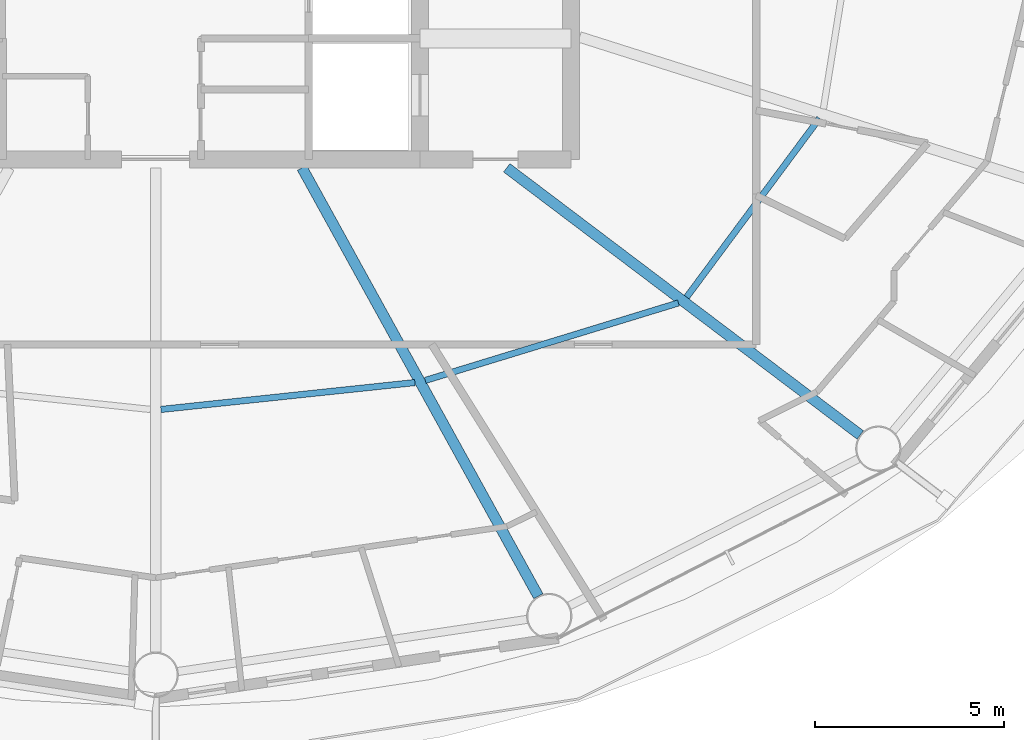
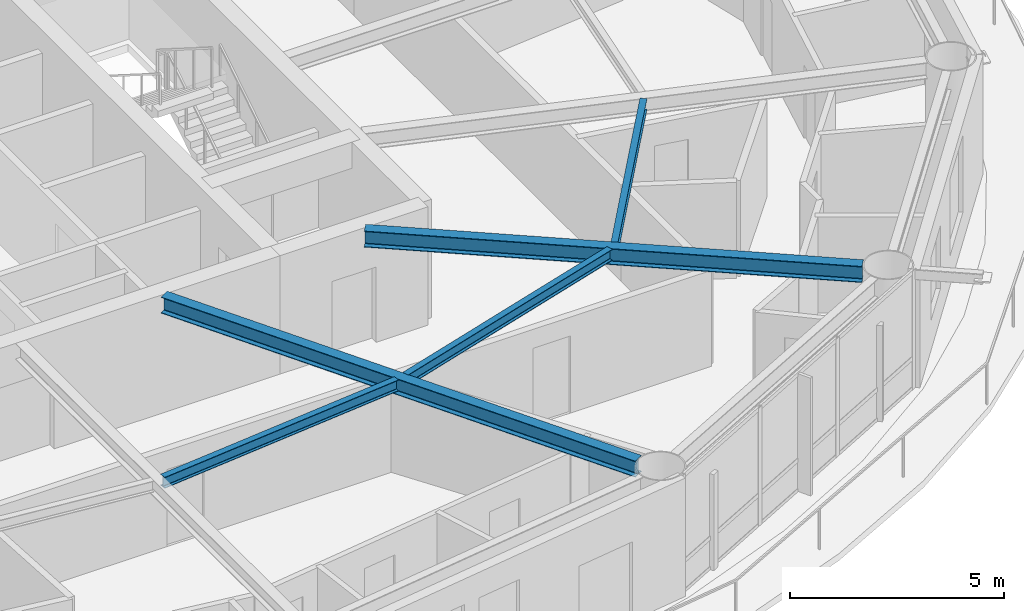
# One storey, part 6 of 27: 5 beams.
"""IFC4 building model written with IfcOpenShell, lengths in metres."""

from ifc_helpers import new_model, si_unit, direction, frame, origin, origin_2d, place, context, subcontext, project, spatial, i_section, extrude, material, material_profile, profile_set, type_object, element, save


model = new_model("IFC4")

# Units and contexts
model_context = context("Model", 3, precision=1e-05, world=origin(), true_north=direction((0.0, 1.0)))
body_context = subcontext(model_context, "Body", "Model", "MODEL_VIEW")
ifc_project = project(units=[si_unit("LENGTHUNIT", "METRE"), si_unit("AREAUNIT", "SQUARE_METRE"), si_unit("VOLUMEUNIT", "CUBIC_METRE"), si_unit("PLANEANGLEUNIT", "RADIAN"), si_unit("MASSUNIT", "GRAM", prefix="KILO")], contexts=[model_context])

# Site, building, storey
site_placement = place(None, origin())
site = spatial("IfcSite", under=ifc_project, at=site_placement, CompositionType="ELEMENT")
building_placement = place(site_placement, origin())
building = spatial("IfcBuilding", under=site, at=building_placement, Name="Sarneth Arch Tower", CompositionType="ELEMENT")
storey_placement = place(building_placement, frame((0.0, 0.0, 193.800048828125)))
storey = spatial("IfcBuildingStorey", under=building, at=storey_placement, Name="L49", CompositionType="ELEMENT", Elevation=193.800048828125)

# Beams
ifc_material_1 = material(Name="Steel S355", Category="steel")
ifc_material_profile_1 = material_profile(ifc_material_1, i_section(OverallWidth=0.1669921875, OverallDepth=0.31689453125, WebThickness=0.007568359375, FlangeThickness=0.01318359375, FilletRadius=0.012939453125, at=origin_2d()), Name="W310x52")
ifc_profile_set_1 = profile_set([ifc_material_profile_1], Name="Steel S355")
beam_type_1 = type_object("IfcBeamType", Name="BM-JOIST-310B", PredefinedType="JOIST", material=ifc_profile_set_1)
beam_1_placement = place(storey_placement, frame((48.13916015625, 28.5771484375, 3.221435546875), z_axis=(0.994447340543, 0.105235387994, 0.0), x_axis=(-0.105235387994, 0.994447340543, 0.0)))
element("IfcBeam", 1, at=beam_1_placement, inside=storey, type_object=beam_type_1, Name="L49 Secondary floor joist 13", PredefinedType="JOIST", context=body_context, shape_type="SweptSolid", body=[
    extrude(i_section(OverallWidth=0.1669921875, OverallDepth=0.31689453125, WebThickness=0.007568359375, FlangeThickness=0.01318359375, FilletRadius=0.012939453125, at=origin_2d()), origin(), (0.0, 0.0, 1.0), 6.7626953125),
])
beam_2_placement = place(storey_placement, frame((55.137451171875, 29.344482421875, 3.221435546875), z_axis=(0.956178669891, 0.292783796076, 0.0), x_axis=(-0.292783796076, 0.956178669891, 0.0)))
element("IfcBeam", 2, at=beam_2_placement, inside=storey, type_object=beam_type_1, Name="L49 Secondary floor joist 14", PredefinedType="JOIST", context=body_context, shape_type="SweptSolid", body=[
    extrude(i_section(OverallWidth=0.1669921875, OverallDepth=0.31689453125, WebThickness=0.007568359375, FlangeThickness=0.01318359375, FilletRadius=0.012939453125, at=origin_2d()), origin(), (0.0, 0.0, 1.0), 7.010986328125),
])
beam_3_placement = place(storey_placement, frame((62.058837890625, 31.550537109375, 3.221435546875), z_axis=(0.596190586674, 0.802842938788, 0.0), x_axis=(-0.802842938788, 0.596190586674, 0.0)))
element("IfcBeam", 3, at=beam_3_placement, inside=storey, type_object=beam_type_1, Name="L49 Secondary floor joist 15", PredefinedType="JOIST", context=body_context, shape_type="SweptSolid", body=[
    extrude(i_section(OverallWidth=0.1669921875, OverallDepth=0.31689453125, WebThickness=0.007568359375, FlangeThickness=0.01318359375, FilletRadius=0.012939453125, at=origin_2d()), origin(), (0.0, 0.0, 1.0), 5.896484375),
])
ifc_material_2 = material(Name="Steel S355", Category="steel")
ifc_material_profile_2 = material_profile(ifc_material_2, i_section(OverallWidth=0.280029296875, OverallDepth=0.462890625, WebThickness=0.0107421875, FlangeThickness=0.017333984375, FilletRadius=0.01806640625, at=origin_2d()), Name="W460x113")
ifc_profile_set_2 = profile_set([ifc_material_profile_2], Name="Steel S355")
beam_type_2 = type_object("IfcBeamType", Name="BM-RAD-460A", PredefinedType="BEAM", material=ifc_profile_set_2)
beam_4_placement = place(storey_placement, frame((51.875, 34.97509765625, 3.1484375), z_axis=(0.483010082599, -0.875614789795, 0.0), x_axis=(0.875614789795, 0.483010082599, 0.0)))
element("IfcBeam", 4, at=beam_4_placement, inside=storey, type_object=beam_type_2, Name="L49 Radial floor girder 14", PredefinedType="BEAM", context=body_context, shape_type="SweptSolid", body=[
    extrude(i_section(OverallWidth=0.280029296875, OverallDepth=0.462890625, WebThickness=0.0107421875, FlangeThickness=0.017333984375, FilletRadius=0.01806640625, at=origin_2d()), origin(), (0.0, 0.0, 1.0), 12.954345703125),
])
beam_5_placement = place(storey_placement, frame((57.29541015625, 34.97509765625, 3.1484375), z_axis=(0.797784574467, -0.602942594898, 0.0), x_axis=(0.602942594898, 0.797784574467, 0.0)))
element("IfcBeam", 5, at=beam_5_placement, inside=storey, type_object=beam_type_2, Name="L49 Radial floor girder 15", PredefinedType="BEAM", context=body_context, shape_type="SweptSolid", body=[
    extrude(i_section(OverallWidth=0.280029296875, OverallDepth=0.462890625, WebThickness=0.0107421875, FlangeThickness=0.017333984375, FilletRadius=0.01806640625, at=origin_2d()), origin(), (0.0, 0.0, 1.0), 11.73193359375),
])

save(model, "model.ifc")
